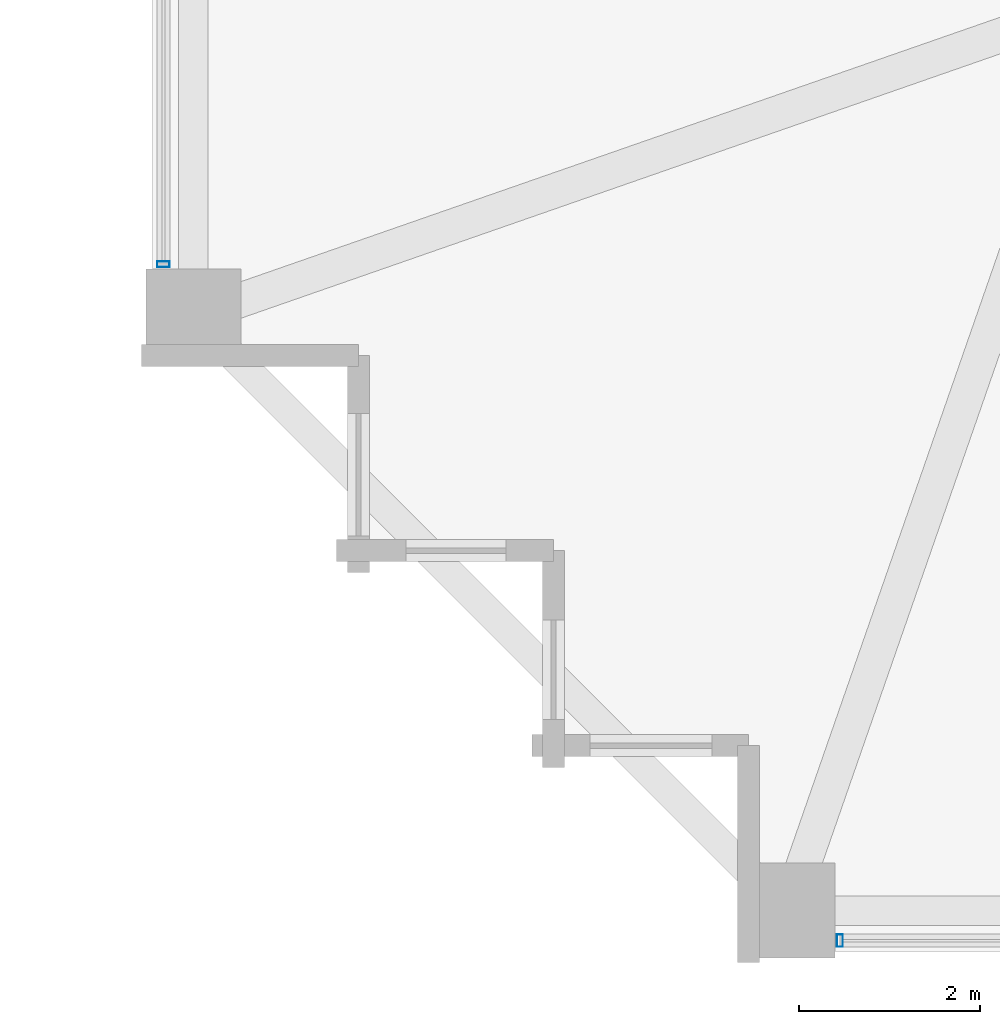
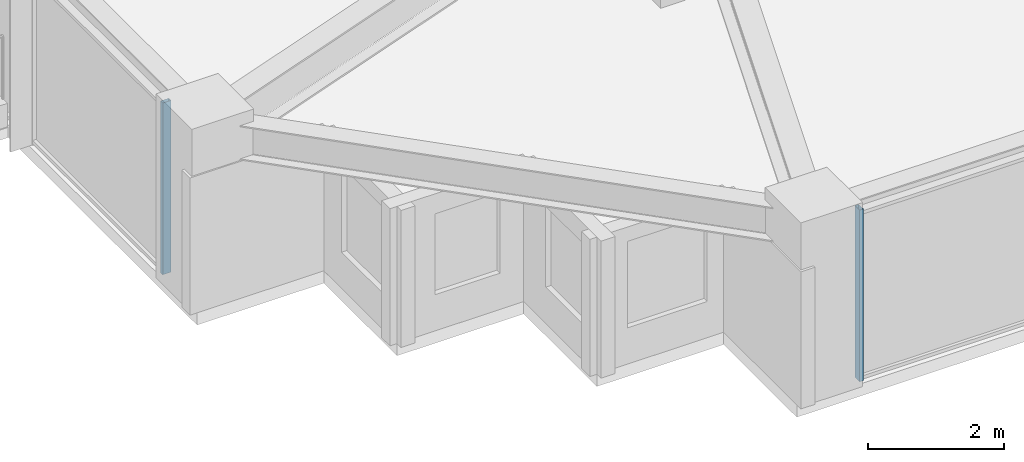
# One storey, part 2 of 36: 2 members, 2 elements without a shape of their own.
"""IFC4 building model written with IfcOpenShell, lengths in metres."""

from ifc_helpers import new_model, si_unit, direction, frame, origin, origin_2d, place, context, subcontext, project, spatial, hollow_rectangle, extrude, material, material_profile, profile_set, type_object, element, aggregate, save


model = new_model("IFC4")

# Units and contexts
model_context = context("Model", 3, precision=1e-05, world=origin(), true_north=direction((0.0, 1.0)))
body_context = subcontext(model_context, "Body", "Model", "MODEL_VIEW")
ifc_project = project(units=[si_unit("LENGTHUNIT", "METRE"), si_unit("AREAUNIT", "SQUARE_METRE"), si_unit("VOLUMEUNIT", "CUBIC_METRE"), si_unit("PLANEANGLEUNIT", "RADIAN"), si_unit("MASSUNIT", "GRAM", prefix="KILO")], contexts=[model_context])

# Site, building, storey
site_placement = place(None, origin())
site = spatial("IfcSite", under=ifc_project, at=site_placement, CompositionType="ELEMENT")
building_placement = place(site_placement, origin())
building = spatial("IfcBuilding", under=site, at=building_placement, Name="Kolvaren Belvedere", CompositionType="ELEMENT")
storey_placement = place(building_placement, frame((0.0, 0.0, 92.0)))
storey = spatial("IfcBuildingStorey", under=building, at=storey_placement, Name="L26", CompositionType="ELEMENT", Elevation=92.0)

# Curtain wall, member
ifc_material_1 = material(Name="Anodised pale-metal aluminium AA 6063-T6", Category="aluminium")
curtain_wall_type = type_object("IfcCurtainWallType", Name="CW-Z2-MID", PredefinedType="NOTDEFINED", material=ifc_material_1)
curtain_wall_1_placement = place(storey_placement, origin())
curtain_wall_1 = element("IfcCurtainWall", 1, at=curtain_wall_1_placement, inside=storey, type_object=curtain_wall_type, Name="L26 Unitised Curtain Wall FCW-L26-S-B3", PredefinedType="NOTDEFINED")
ifc_material_2 = material(Name="Anodised pale-metal aluminium AA 6063-T6", Category="aluminium")
ifc_material_profile = material_profile(ifc_material_2, hollow_rectangle(XDim=0.06494140625, YDim=0.139892578125, WallThickness=0.00390625, at=origin_2d()), Name="ALU-MUL-140X65")
ifc_profile_set = profile_set([ifc_material_profile], Name="Anodised pale-metal aluminium AA 6063-T6")
member_type = type_object("IfcMemberType", Name="CW-MUL-140", PredefinedType="MULLION", material=ifc_profile_set)
member_1_placement = place(storey_placement, frame((-12.822509765625, -20.280029296875, 0.0), z_axis=(0.0, 0.0, 1.0), x_axis=(1.0, 0.0, 0.0)))
member_1 = element("IfcMember", 2, at=member_1_placement, type_object=member_type, Name="FCW-L26-S-B3 Unitised Mullion 3", PredefinedType="MULLION", context=body_context, shape_type="SweptSolid", body=[
    extrude(hollow_rectangle(XDim=0.06494140625, YDim=0.139892578125, WallThickness=0.00390625, at=origin_2d()), origin(), (0.0, 0.0, 1.0), 3.080078125),
])
aggregate(curtain_wall_1, [member_1])

curtain_wall_2_placement = place(storey_placement, origin())
curtain_wall_2 = element("IfcCurtainWall", 3, at=curtain_wall_2_placement, inside=storey, type_object=curtain_wall_type, Name="L26 Unitised Curtain Wall FCW-L26-W1-B1", PredefinedType="NOTDEFINED")
member_2_placement = place(storey_placement, frame((-20.280029296875, -12.822509765625, 0.0), z_axis=(0.0, 0.0, 1.0), x_axis=(0.0, 1.0, 0.0)))
member_2 = element("IfcMember", 4, at=member_2_placement, type_object=member_type, Name="FCW-L26-W1-B1 Unitised Mullion 1", PredefinedType="MULLION", context=body_context, shape_type="SweptSolid", body=[
    extrude(hollow_rectangle(XDim=0.06494140625, YDim=0.139892578125, WallThickness=0.00390625, at=origin_2d()), origin(), (0.0, 0.0, 1.0), 3.080078125),
])
aggregate(curtain_wall_2, [member_2])

save(model, "model.ifc")
